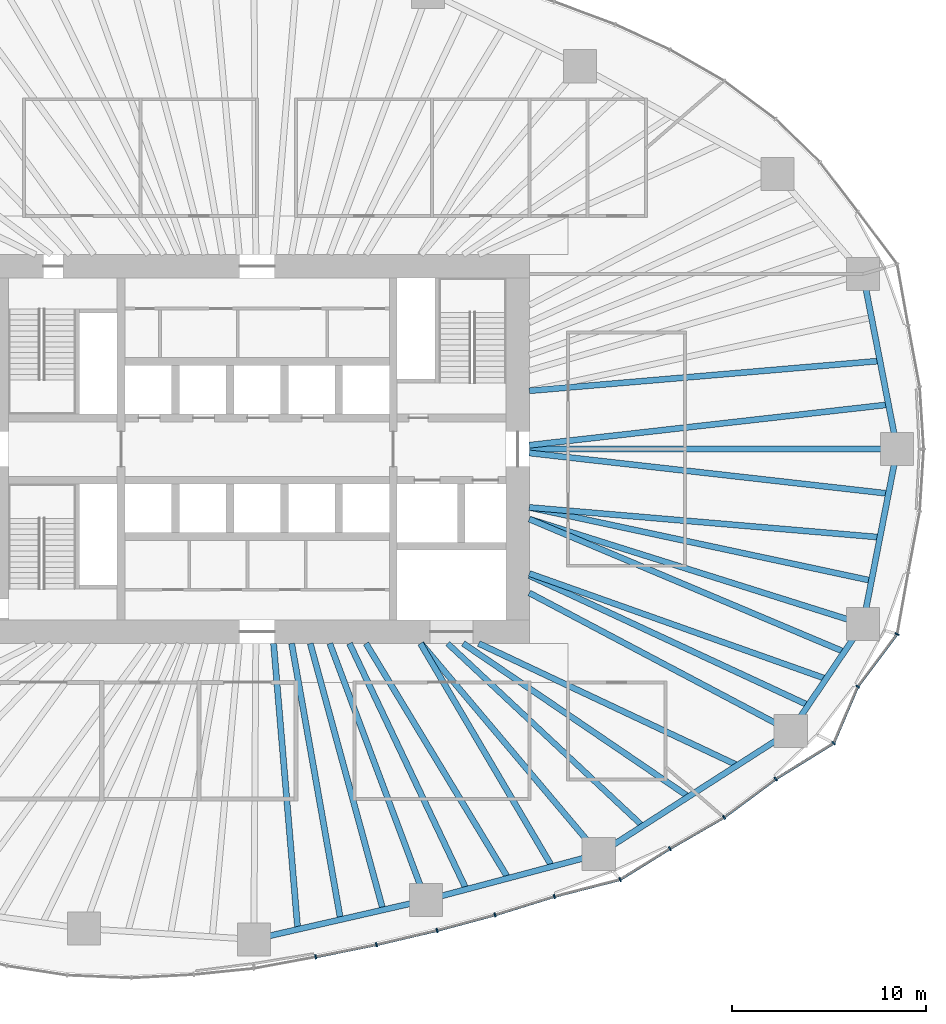
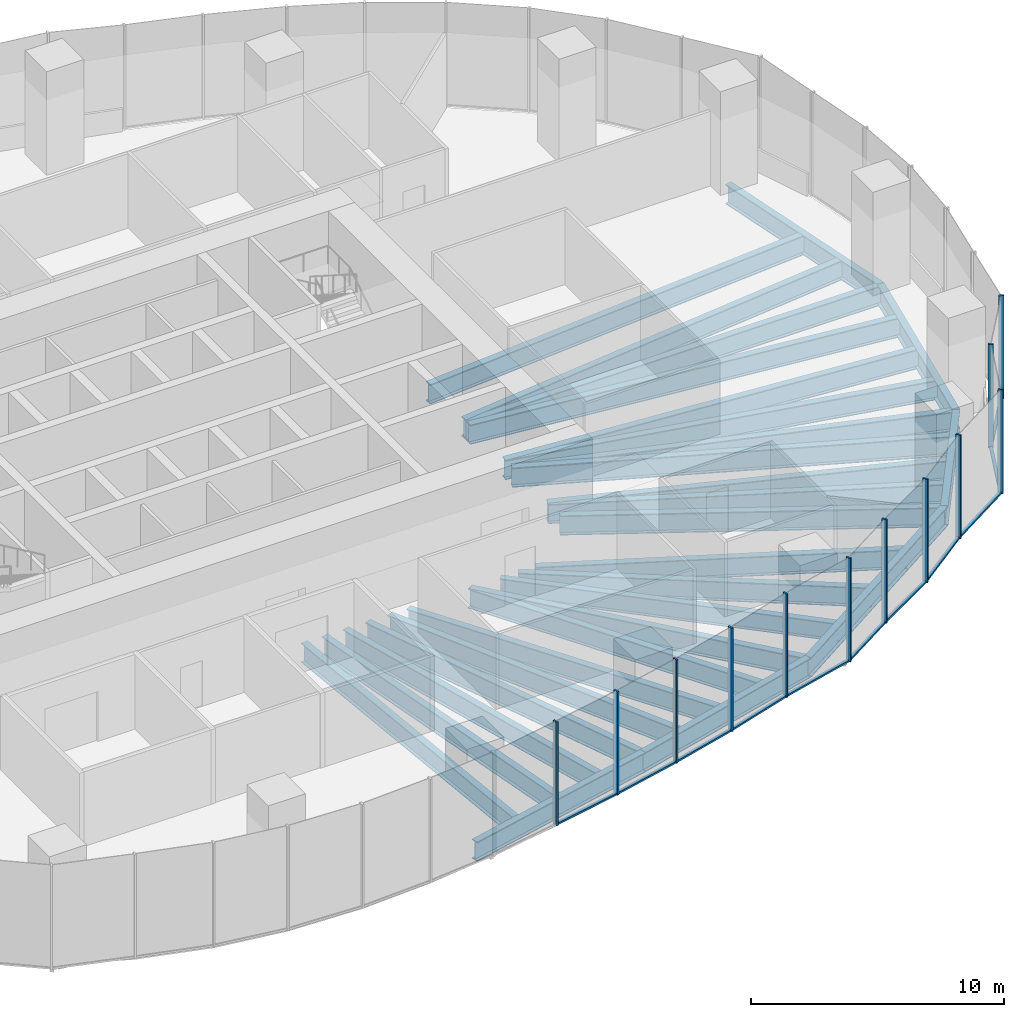
# One storey, part 4 of 19: 28 beams, 23 members, 5 elements without a shape of their own.
"""IFC4 building model written with IfcOpenShell, lengths in metres."""

import ifcopenshell
import ifcopenshell.guid

model = None  # the IFC model being written
_history = None  # IfcOwnerHistory: only IFC2X3 demands one
_inside = {}  # id of a spatial element -> (the spatial element, [elements in it])
_under = {}  # id of a project, library or spatial element -> (it, [spatial elements below it])
_declared = {}  # id of a project -> (the project, [libraries it declares])
_typed = {}  # id of a type object -> (the type object, [elements of that type])
_made_of = {}  # id of a material, layer set ... -> (it, [elements and type objects made of it])


def new_model(schema):
    """Start an empty IFC model of exactly this schema.

    Asked for "IFC4X3", IfcOpenShell would pick the latest addendum, in which some entities
    have other attributes; the version numbers below select the first issue.
    IFC2X3 requires an IfcOwnerHistory on every rooted entity: one is made here for all.
    """
    global model, _history
    if schema == "IFC4X3":
        model = ifcopenshell.file(schema_version=(4, 3, 0, 0))
    else:
        model = ifcopenshell.file(schema=schema)
    _inside.clear()
    _under.clear()
    _declared.clear()
    _typed.clear()
    _made_of.clear()
    _history = None
    if model.schema == "IFC2X3":
        org = make("IfcOrganization", Name="unknown")
        user = make(
            "IfcPersonAndOrganization",
            ThePerson=make("IfcPerson", FamilyName="unknown"),
            TheOrganization=org,
        )
        app = make(
            "IfcApplication",
            ApplicationDeveloper=org,
            Version="unknown",
            ApplicationFullName="unknown",
            ApplicationIdentifier="unknown",
        )
        _history = make(
            "IfcOwnerHistory",
            OwningUser=user,
            OwningApplication=app,
            ChangeAction="ADDED",
            CreationDate=0,
        )
    return model


def make(cls, **values):
    """One entity of the class cls with the attributes given. An attribute that is None is left unset."""
    return model.create_entity(
        cls, **{name: value for name, value in values.items() if value is not None}
    )


def rooted(cls, **values):
    """An entity with a GlobalId (a new one), such as an element, a storey or a relation."""
    return make(cls, GlobalId=ifcopenshell.guid.new(), OwnerHistory=_history, **values)


def si_unit(unit_type, name, prefix=None):
    """IfcSIUnit, for example si_unit("LENGTHUNIT", "METRE", prefix="MILLI")."""
    return make("IfcSIUnit", UnitType=unit_type, Prefix=prefix, Name=name)


def assignment(units):
    """IfcUnitAssignment: the units of a project."""
    return None if units is None else make("IfcUnitAssignment", Units=units)


def point(xyz):
    """IfcCartesianPoint."""
    return None if xyz is None else make("IfcCartesianPoint", Coordinates=xyz)


def direction(xyz):
    """IfcDirection."""
    return None if xyz is None else make("IfcDirection", DirectionRatios=xyz)


def frame(location, z_axis=None, x_axis=None):
    """IfcAxis2Placement3D, a coordinate frame: its origin and axes. An axis left out is left unset."""
    return make(
        "IfcAxis2Placement3D",
        Location=point(location),
        Axis=direction(z_axis),
        RefDirection=direction(x_axis),
    )


def frame_2d(location, x_axis=None):
    """IfcAxis2Placement2D, a coordinate frame in the plane: its origin and x axis."""
    return make(
        "IfcAxis2Placement2D", Location=point(location), RefDirection=direction(x_axis)
    )


def origin():
    """The frame at (0, 0, 0) with its axes left unset."""
    return frame((0.0, 0.0, 0.0))


def origin_2d():
    """The frame at (0, 0) in the plane with its x axis left unset."""
    return frame_2d((0.0, 0.0))


def place(relative_to, where):
    """IfcLocalPlacement: puts the frame where relative to a parent placement (None: the world)."""
    return make(
        "IfcLocalPlacement", PlacementRelTo=relative_to, RelativePlacement=where
    )


def context(
    kind, dimensions, precision=None, world=None, true_north=None, identifier=None
):
    """IfcGeometricRepresentationContext, for example the 3D "Model" context."""
    return make(
        "IfcGeometricRepresentationContext",
        ContextIdentifier=identifier,
        ContextType=kind,
        CoordinateSpaceDimension=dimensions,
        Precision=precision,
        WorldCoordinateSystem=world,
        TrueNorth=true_north,
    )


def subcontext(parent, identifier, kind, view, scale=None):
    """IfcGeometricRepresentationSubContext, for example "Body" below "Model"."""
    return make(
        "IfcGeometricRepresentationSubContext",
        ContextIdentifier=identifier,
        ContextType=kind,
        ParentContext=parent,
        TargetScale=scale,
        TargetView=view,
    )


def project(units=None, contexts=None):
    """IfcProject with its units and contexts."""
    return rooted(
        "IfcProject",
        Name="project",
        RepresentationContexts=contexts,
        UnitsInContext=assignment(units),
    )


def spatial(cls, under=None, at=None, **own):
    """A site, building, storey or space (cls), placed at a placement, below another one or the project."""
    s = rooted(cls, ObjectPlacement=at, **own)
    if under is not None:
        _under.setdefault(under.id(), (under, []))[1].append(s)
    return s


def profile(cls, at=None, kind="AREA", **sizes):
    """A parametric profile (cls). Its sizes go by their IFC names, for example OverallWidth=200.0."""
    return make(cls, ProfileType=kind, Position=at, **sizes)


def rectangle(**sizes):
    """IfcRectangleProfileDef."""
    return profile("IfcRectangleProfileDef", **sizes)


def i_section(**sizes):
    """IfcIShapeProfileDef."""
    return profile("IfcIShapeProfileDef", **sizes)


def extrude(swept, where, along, depth):
    """IfcExtrudedAreaSolid: the profile swept, set in the frame where, extruded along a direction by depth."""
    return make(
        "IfcExtrudedAreaSolid",
        SweptArea=swept,
        Position=where,
        ExtrudedDirection=direction(along),
        Depth=depth,
    )


def shape(context_of_items, identifier, shape_type, items):
    """IfcShapeRepresentation: the items that make up one representation, for example the "Body"."""
    return make(
        "IfcShapeRepresentation",
        ContextOfItems=context_of_items,
        RepresentationIdentifier=identifier,
        RepresentationType=shape_type,
        Items=items,
    )


def material(Name=None, Category=None):
    """IfcMaterial."""
    return make("IfcMaterial", Name=Name, Category=Category)


def material_profile(
    of_material, cross_section, Name=None, Category=None, Priority=None
):
    """IfcMaterialProfile: a cross section and its material."""
    return make(
        "IfcMaterialProfile",
        Name=Name,
        Material=of_material,
        Profile=cross_section,
        Priority=Priority,
        Category=Category,
    )


def profile_set(profiles, Name=None, composite=None):
    """IfcMaterialProfileSet."""
    return make(
        "IfcMaterialProfileSet",
        Name=Name,
        MaterialProfiles=profiles,
        CompositeProfile=composite,
    )


def made_of(thing, what):
    """Note that an element or type object is made of a material, layer set ...; save() writes the relation."""
    if what is not None:
        _made_of.setdefault(what.id(), (what, []))[1].append(thing)
    return thing


def type_object(cls, material=None, **own):
    """A type object (cls), such as IfcWallType, which elements share."""
    return made_of(rooted(cls, **own), material)


def element(
    cls,
    number,
    at=None,
    inside=None,
    cuts=None,
    type_object=None,
    material=None,
    context=None,
    identifier="Body",
    shape_type=None,
    held_by="IfcProductDefinitionShape",
    body=None,
    shapes=None,
    **own,
):
    """One element of the class cls, such as IfcWall. Its Tag is "e" and its number.

    at: its placement. inside: the storey or other place that contains it. cuts: it is an
    opening in that element (IfcRelVoidsElement). A single representation is given by context,
    identifier, shape_type and body (its items); several are given by shapes. held_by: the class
    of the entity that holds the representations. save() writes the other relations.
    """
    e = rooted(cls, Tag="e%d" % number, ObjectPlacement=at, **own)
    if body is not None:
        shapes = [shape(context, identifier, shape_type, body)]
    if shapes is not None:
        e.Representation = make(held_by, Representations=shapes)
    if inside is not None:
        _inside.setdefault(inside.id(), (inside, []))[1].append(e)
    if cuts is not None:
        rooted(
            "IfcRelVoidsElement", RelatingBuildingElement=cuts, RelatedOpeningElement=e
        )
    if type_object is not None:
        _typed.setdefault(type_object.id(), (type_object, []))[1].append(e)
    return made_of(e, material)


def aggregate(whole, parts):
    """IfcRelAggregates: a whole, such as a stair, and the parts it consists of."""
    return rooted("IfcRelAggregates", RelatingObject=whole, RelatedObjects=parts)


def save(model, path):
    """Write the relations noted so far, then the file.

    IfcRelAggregates (storeys below a building ...), IfcRelContainedInSpatialStructure (elements
    in a storey), IfcRelDefinesByType, IfcRelAssociatesMaterial and IfcRelDeclares: one each for
    every whole, place, type object, material and project.
    """
    for whole, parts in _under.values():
        aggregate(whole, parts)
    for where, things in _inside.values():
        rooted(
            "IfcRelContainedInSpatialStructure",
            RelatedElements=things,
            RelatingStructure=where,
        )
    for kind, things in _typed.values():
        rooted("IfcRelDefinesByType", RelatedObjects=things, RelatingType=kind)
    for what, things in _made_of.values():
        rooted("IfcRelAssociatesMaterial", RelatedObjects=things, RelatingMaterial=what)
    for by, libraries in _declared.values():
        rooted("IfcRelDeclares", RelatingContext=by, RelatedDefinitions=libraries)
    model.write(path)


model = new_model("IFC4")

# Units and contexts
model_context = context("Model", 3, precision=1e-05, world=origin(), true_north=direction((0.0, 1.0)))
body_context = subcontext(model_context, "Body", "Model", "MODEL_VIEW")
ifc_project = project(units=[si_unit("LENGTHUNIT", "METRE"), si_unit("AREAUNIT", "SQUARE_METRE"), si_unit("VOLUMEUNIT", "CUBIC_METRE"), si_unit("PLANEANGLEUNIT", "RADIAN"), si_unit("MASSUNIT", "GRAM", prefix="KILO")], contexts=[model_context])

# Site, building, storey
site_placement = place(None, origin())
site = spatial("IfcSite", under=ifc_project, at=site_placement, CompositionType="ELEMENT")
building_placement = place(site_placement, origin())
building = spatial("IfcBuilding", under=site, at=building_placement, Name="Ghaith Harvest Tower", CompositionType="ELEMENT")
storey_placement = place(building_placement, frame((0.0, 0.0, 75.0)))
storey = spatial("IfcBuildingStorey", under=building, at=storey_placement, Name="L15", CompositionType="ELEMENT", Elevation=75.0)

# Curtain wall, members
ifc_material_1 = material(Name="Black anodised aluminium and fritted glass", Category="aluminium")
curtain_wall_type = type_object("IfcCurtainWallType", Name="CW-F CURTAIN WALL", PredefinedType="NOTDEFINED", material=ifc_material_1)
curtain_wall_1_placement = place(storey_placement, origin())
curtain_wall_1 = element("IfcCurtainWall", 1, at=curtain_wall_1_placement, inside=storey, type_object=curtain_wall_type, Name="Curtain wall CW-F bay 16 L15", PredefinedType="NOTDEFINED")
ifc_material_2 = material(Name="Aluminium, black anodised", Category="aluminium")
ifc_material_profile_1 = material_profile(ifc_material_2, rectangle(XDim=0.080078125, YDim=0.219970703125, at=origin_2d()), Name="CW-F MULLION 80x220")
ifc_profile_set_1 = profile_set([ifc_material_profile_1], Name="Aluminium, black anodised")
member_type_1 = type_object("IfcMemberType", Name="CW-F MULLION 80x220", PredefinedType="MULLION", material=ifc_profile_set_1)
member_1_placement = place(storey_placement, frame((3.00927734375, -26.123291015625, 0.0), z_axis=(0.0, 0.0, 1.0), x_axis=(0.981818445714, 0.189822389762, 0.0)))
member_1 = element("IfcMember", 2, at=member_1_placement, type_object=member_type_1, Name="CW-F mullion 2 bay 16 L15", PredefinedType="MULLION", context=body_context, shape_type="SweptSolid", body=[
    extrude(rectangle(XDim=0.080078125, YDim=0.219970703125, at=origin_2d()), origin(), (0.0, 0.0, 1.0), 5.0),
])
member_2_placement = place(storey_placement, frame((6.136962890625, -25.495361328125, 0.0), z_axis=(0.0, 0.0, 1.0), x_axis=(0.977117973572, 0.212698062336, 0.0)))
member_2 = element("IfcMember", 3, at=member_2_placement, type_object=member_type_1, Name="CW-F mullion 3 bay 16 L15", PredefinedType="MULLION", context=body_context, shape_type="SweptSolid", body=[
    extrude(rectangle(XDim=0.080078125, YDim=0.219970703125, at=origin_2d()), origin(), (0.0, 0.0, 1.0), 5.0),
])

curtain_wall_2_placement = place(storey_placement, origin())
curtain_wall_2 = element("IfcCurtainWall", 4, at=curtain_wall_2_placement, inside=storey, type_object=curtain_wall_type, Name="Curtain wall CW-F bay 17 L15", PredefinedType="NOTDEFINED")
member_3_placement = place(storey_placement, frame((9.25732421875, -24.76318359375, 0.0), z_axis=(0.0, 0.0, 1.0), x_axis=(0.969903429248, 0.24348991341, 0.0)))
member_3 = element("IfcMember", 5, at=member_3_placement, type_object=member_type_1, Name="CW-F mullion 1 bay 17 L15", PredefinedType="MULLION", context=body_context, shape_type="SweptSolid", body=[
    extrude(rectangle(XDim=0.080078125, YDim=0.219970703125, at=origin_2d()), origin(), (0.0, 0.0, 1.0), 5.0),
])
member_4_placement = place(storey_placement, frame((12.234375, -23.964599609375, 0.0), z_axis=(0.0, 0.0, 1.0), x_axis=(0.960502189734, 0.278272426799, 0.0)))
member_4 = element("IfcMember", 6, at=member_4_placement, type_object=member_type_1, Name="CW-F mullion 2 bay 17 L15", PredefinedType="MULLION", context=body_context, shape_type="SweptSolid", body=[
    extrude(rectangle(XDim=0.080078125, YDim=0.219970703125, at=origin_2d()), origin(), (0.0, 0.0, 1.0), 5.0),
])
member_5_placement = place(storey_placement, frame((15.28759765625, -23.01611328125, 0.0), z_axis=(0.0, 0.0, 1.0), x_axis=(0.962313144018, 0.27194376781, 0.0)))
member_5 = element("IfcMember", 7, at=member_5_placement, type_object=member_type_1, Name="CW-F mullion 3 bay 17 L15", PredefinedType="MULLION", context=body_context, shape_type="SweptSolid", body=[
    extrude(rectangle(XDim=0.080078125, YDim=0.219970703125, at=origin_2d()), origin(), (0.0, 0.0, 1.0), 5.0),
])

curtain_wall_3_placement = place(storey_placement, origin())
curtain_wall_3 = element("IfcCurtainWall", 8, at=curtain_wall_3_placement, inside=storey, type_object=curtain_wall_type, Name="Curtain wall CW-F bay 18 L15", PredefinedType="NOTDEFINED")
member_6_placement = place(storey_placement, frame((18.674072265625, -22.144775390625, 0.0), z_axis=(0.0, 0.0, 1.0), x_axis=(0.923910199299, 0.382609387799, 0.0)))
member_6 = element("IfcMember", 9, at=member_6_placement, type_object=member_type_1, Name="CW-F mullion 1 bay 18 L15", PredefinedType="MULLION", context=body_context, shape_type="SweptSolid", body=[
    extrude(rectangle(XDim=0.080078125, YDim=0.219970703125, at=origin_2d()), origin(), (0.0, 0.0, 1.0), 5.0),
])
member_7_placement = place(storey_placement, frame((21.2353515625, -20.552978515625, 0.0), z_axis=(0.0, 0.0, 1.0), x_axis=(0.858140414942, 0.513415064293, 0.0)))
member_7 = element("IfcMember", 10, at=member_7_placement, type_object=member_type_1, Name="CW-F mullion 2 bay 18 L15", PredefinedType="MULLION", context=body_context, shape_type="SweptSolid", body=[
    extrude(rectangle(XDim=0.080078125, YDim=0.219970703125, at=origin_2d()), origin(), (0.0, 0.0, 1.0), 5.0),
])
member_8_placement = place(storey_placement, frame((24.018310546875, -18.947265625, 0.0), z_axis=(0.0, 0.0, 1.0), x_axis=(0.835443516838, 0.549576318788, 0.0)))
member_8 = element("IfcMember", 11, at=member_8_placement, type_object=member_type_1, Name="CW-F mullion 3 bay 18 L15", PredefinedType="MULLION", context=body_context, shape_type="SweptSolid", body=[
    extrude(rectangle(XDim=0.080078125, YDim=0.219970703125, at=origin_2d()), origin(), (0.0, 0.0, 1.0), 5.0),
])

curtain_wall_4_placement = place(storey_placement, origin())
curtain_wall_4 = element("IfcCurtainWall", 12, at=curtain_wall_4_placement, inside=storey, type_object=curtain_wall_type, Name="Curtain wall CW-F bay 19 L15", PredefinedType="NOTDEFINED")
member_9_placement = place(storey_placement, frame((26.673828125, -16.9755859375, 0.0), z_axis=(0.0, 0.0, 1.0), x_axis=(0.828002038115, 0.560725088504, 0.0)))
member_9 = element("IfcMember", 13, at=member_9_placement, type_object=member_type_1, Name="CW-F mullion 1 bay 19 L15", PredefinedType="MULLION", context=body_context, shape_type="SweptSolid", body=[
    extrude(rectangle(XDim=0.080078125, YDim=0.219970703125, at=origin_2d()), origin(), (0.0, 0.0, 1.0), 5.0),
])
member_10_placement = place(storey_placement, frame((29.659912109375, -15.126953125, 0.0), z_axis=(0.0, 0.0, 1.0), x_axis=(0.663604797505, 0.748083332743, 0.0)))
member_10 = element("IfcMember", 14, at=member_10_placement, type_object=member_type_1, Name="CW-F mullion 2 bay 19 L15", PredefinedType="MULLION", context=body_context, shape_type="SweptSolid", body=[
    extrude(rectangle(XDim=0.080078125, YDim=0.219970703125, at=origin_2d()), origin(), (0.0, 0.0, 1.0), 5.0),
])
member_11_placement = place(storey_placement, frame((30.896728515625, -12.215087890625, 0.0), z_axis=(0.0, 0.0, 1.0), x_axis=(0.5027946428, 0.864405892606, 0.0)))
member_11 = element("IfcMember", 15, at=member_11_placement, type_object=member_type_1, Name="CW-F mullion 3 bay 19 L15", PredefinedType="MULLION", context=body_context, shape_type="SweptSolid", body=[
    extrude(rectangle(XDim=0.080078125, YDim=0.219970703125, at=origin_2d()), origin(), (0.0, 0.0, 1.0), 5.0),
])

# Curtain wall, member
curtain_wall_5_placement = place(storey_placement, origin())
curtain_wall_5 = element("IfcCurtainWall", 16, at=curtain_wall_5_placement, inside=storey, type_object=curtain_wall_type, Name="Curtain wall CW-F bay 20 L15", PredefinedType="NOTDEFINED")
member_12_placement = place(storey_placement, frame((32.923583984375, -9.515625, 0.0), z_axis=(0.0, 0.0, 1.0), x_axis=(0.404701694001, 0.914448762301, 0.0)))
member_12 = element("IfcMember", 17, at=member_12_placement, type_object=member_type_1, Name="CW-F mullion 1 bay 20 L15", PredefinedType="MULLION", context=body_context, shape_type="SweptSolid", body=[
    extrude(rectangle(XDim=0.080078125, YDim=0.219970703125, at=origin_2d()), origin(), (0.0, 0.0, 1.0), 5.0),
])
aggregate(curtain_wall_5, [member_12])

# Member
ifc_material_3 = material(Name="Aluminium, black anodised", Category="aluminium")
ifc_material_profile_2 = material_profile(ifc_material_3, rectangle(XDim=0.139892578125, YDim=0.080078125, at=origin_2d()), Name="CW-F TRANSOM 140x80")
ifc_profile_set_2 = profile_set([ifc_material_profile_2], Name="Aluminium, black anodised")
member_type_2 = type_object("IfcMemberType", Name="CW-F TRANSOM 140x80", PredefinedType="USERDEFINED", material=ifc_profile_set_2)
member_13_placement = place(storey_placement, frame((3.04833984375, -26.115478515625, 0.0400390625), z_axis=(0.980432471193, 0.196855707129, 0.0), x_axis=(-0.196855707129, 0.980432471193, 0.0)))
member_13 = element("IfcMember", 18, at=member_13_placement, type_object=member_type_2, Name="CW-F transom 2 bay 16 L15", ObjectType="TRANSOM", PredefinedType="USERDEFINED", context=body_context, shape_type="SweptSolid", body=[
    extrude(rectangle(XDim=0.139892578125, YDim=0.080078125, at=origin_2d()), origin(), (0.0, 0.0, 1.0), 3.1103515625),
])

member_14_placement = place(storey_placement, frame((6.176025390625, -25.486083984375, 0.0400390625), z_axis=(0.973560415159, 0.228429678537, 0.0), x_axis=(-0.228429678537, 0.973560415159, 0.0)))
member_14 = element("IfcMember", 19, at=member_14_placement, type_object=member_type_2, Name="CW-F transom 3 bay 16 L15", ObjectType="TRANSOM", PredefinedType="USERDEFINED", context=body_context, shape_type="SweptSolid", body=[
    extrude(rectangle(XDim=0.139892578125, YDim=0.080078125, at=origin_2d()), origin(), (0.0, 0.0, 1.0), 3.125),
])

aggregate(curtain_wall_1, [member_1, member_13, member_2, member_14])

member_15_placement = place(storey_placement, frame((9.2958984375, -24.7529296875, 0.0400390625), z_axis=(0.965832908495, 0.259165570377, 0.0), x_axis=(-0.259165570377, 0.965832908495, 0.0)))
member_15 = element("IfcMember", 20, at=member_15_placement, type_object=member_type_2, Name="CW-F transom 1 bay 17 L15", ObjectType="TRANSOM", PredefinedType="USERDEFINED", context=body_context, shape_type="SweptSolid", body=[
    extrude(rectangle(XDim=0.139892578125, YDim=0.080078125, at=origin_2d()), origin(), (0.0, 0.0, 1.0), 3.002197265625),
])

member_16_placement = place(storey_placement, frame((12.2724609375, -23.95263671875, 0.0400390625), z_axis=(0.954998362353, 0.296611071781, 0.0), x_axis=(-0.296611071781, 0.954998362353, 0.0)))
member_16 = element("IfcMember", 21, at=member_16_placement, type_object=member_type_2, Name="CW-F transom 2 bay 17 L15", ObjectType="TRANSOM", PredefinedType="USERDEFINED", context=body_context, shape_type="SweptSolid", body=[
    extrude(rectangle(XDim=0.139892578125, YDim=0.080078125, at=origin_2d()), origin(), (0.0, 0.0, 1.0), 3.1171875),
])

member_17_placement = place(storey_placement, frame((15.326171875, -23.006103515625, 0.0400390625), z_axis=(0.968463874592, 0.249154015841, 0.0), x_axis=(-0.249154015841, 0.968463874592, 0.0)))
member_17 = element("IfcMember", 22, at=member_17_placement, type_object=member_type_2, Name="CW-F transom 3 bay 17 L15", ObjectType="TRANSOM", PredefinedType="USERDEFINED", context=body_context, shape_type="SweptSolid", body=[
    extrude(rectangle(XDim=0.139892578125, YDim=0.080078125, at=origin_2d()), origin(), (0.0, 0.0, 1.0), 3.416748046875),
])

aggregate(curtain_wall_2, [member_3, member_15, member_4, member_16, member_5, member_17])

member_18_placement = place(storey_placement, frame((18.7080078125, -22.12353515625, 0.0400390625), z_axis=(0.849383069026, 0.527776848726, 0.0), x_axis=(-0.527776848726, 0.849383069026, 0.0)))
member_18 = element("IfcMember", 23, at=member_18_placement, type_object=member_type_2, Name="CW-F transom 1 bay 18 L15", ObjectType="TRANSOM", PredefinedType="USERDEFINED", context=body_context, shape_type="SweptSolid", body=[
    extrude(rectangle(XDim=0.139892578125, YDim=0.080078125, at=origin_2d()), origin(), (0.0, 0.0, 1.0), 2.935546875),
])

member_19_placement = place(storey_placement, frame((21.27001953125, -20.532958984375, 0.0400390625), z_axis=(0.866168719914, 0.499751686983, 0.0), x_axis=(-0.499751686983, 0.866168719914, 0.0)))
member_19 = element("IfcMember", 24, at=member_19_placement, type_object=member_type_2, Name="CW-F transom 2 bay 18 L15", ObjectType="TRANSOM", PredefinedType="USERDEFINED", context=body_context, shape_type="SweptSolid", body=[
    extrude(rectangle(XDim=0.139892578125, YDim=0.080078125, at=origin_2d()), origin(), (0.0, 0.0, 1.0), 3.1328125),
])

member_20_placement = place(storey_placement, frame((24.050537109375, -18.92333984375, 0.0400390625), z_axis=(0.802877287823, 0.596144328748, 0.0), x_axis=(-0.596144328748, 0.802877287823, 0.0)))
member_20 = element("IfcMember", 25, at=member_20_placement, type_object=member_type_2, Name="CW-F transom 3 bay 18 L15", ObjectType="TRANSOM", PredefinedType="USERDEFINED", context=body_context, shape_type="SweptSolid", body=[
    extrude(rectangle(XDim=0.139892578125, YDim=0.080078125, at=origin_2d()), origin(), (0.0, 0.0, 1.0), 3.2275390625),
])

aggregate(curtain_wall_3, [member_6, member_18, member_7, member_19, member_8, member_20])

member_21_placement = place(storey_placement, frame((26.707763671875, -16.954345703125, 0.0400390625), z_axis=(0.850260598386, 0.526361961802, 0.0), x_axis=(-0.526361961802, 0.850260598386, 0.0)))
member_21 = element("IfcMember", 26, at=member_21_placement, type_object=member_type_2, Name="CW-F transom 1 bay 19 L15", ObjectType="TRANSOM", PredefinedType="USERDEFINED", context=body_context, shape_type="SweptSolid", body=[
    extrude(rectangle(XDim=0.139892578125, YDim=0.080078125, at=origin_2d()), origin(), (0.0, 0.0, 1.0), 3.431884765625),
])

member_22_placement = place(storey_placement, frame((29.675537109375, -15.090087890625, 0.0400390625), z_axis=(0.390936107494, 0.92041781809, 0.0), x_axis=(-0.92041781809, 0.390936107494, 0.0)))
member_22 = element("IfcMember", 27, at=member_22_placement, type_object=member_type_2, Name="CW-F transom 2 bay 19 L15", ObjectType="TRANSOM", PredefinedType="USERDEFINED", context=body_context, shape_type="SweptSolid", body=[
    extrude(rectangle(XDim=0.139892578125, YDim=0.080078125, at=origin_2d()), origin(), (0.0, 0.0, 1.0), 3.083740234375),
])

member_23_placement = place(storey_placement, frame((30.920654296875, -12.18310546875, 0.0400390625), z_axis=(0.600462135687, 0.799653189581, 0.0), x_axis=(-0.799653189581, 0.600462135687, 0.0)))
member_23 = element("IfcMember", 28, at=member_23_placement, type_object=member_type_2, Name="CW-F transom 3 bay 19 L15", ObjectType="TRANSOM", PredefinedType="USERDEFINED", context=body_context, shape_type="SweptSolid", body=[
    extrude(rectangle(XDim=0.139892578125, YDim=0.080078125, at=origin_2d()), origin(), (0.0, 0.0, 1.0), 3.2958984375),
])

aggregate(curtain_wall_4, [member_9, member_21, member_10, member_22, member_11, member_23])

# Beams
ifc_material_4 = material(Name="Steel ASTM A992 Grade 50", Category="steel")
ifc_material_profile_3 = material_profile(ifc_material_4, i_section(OverallWidth=0.306884765625, OverallDepth=0.94189453125, WebThickness=0.022216796875, FlangeThickness=0.039794921875, at=origin_2d()), Name="W920X345")
ifc_profile_set_3 = profile_set([ifc_material_profile_3], Name="Steel ASTM A992 Grade 50")
beam_type_1 = type_object("IfcBeamType", Name="E920-345 W920X345", PredefinedType="SPANDREL", material=ifc_profile_set_3)
beam_1_placement = place(storey_placement, frame((32.925048828125, 0.0, -0.6708984375), z_axis=(-0.191653479461, 0.981462655332, 0.0), x_axis=(-0.981462655332, -0.191653479461, 0.0)))
element("IfcBeam", 29, at=beam_1_placement, inside=storey, type_object=beam_type_1, Name="Edge beam E01 L15", PredefinedType="SPANDREL", context=body_context, shape_type="SweptSolid", body=[
    extrude(i_section(OverallWidth=0.306884765625, OverallDepth=0.94189453125, WebThickness=0.022216796875, FlangeThickness=0.039794921875, at=origin_2d()), origin(), (0.0, 0.0, 1.0), 9.17822265625),
])
beam_2_placement = place(storey_placement, frame((-0.173095703125, -25.22412109375, -0.6708984375), z_axis=(0.974881709383, 0.22272326486, 0.0), x_axis=(-0.22272326486, 0.974881709383, 0.0)))
element("IfcBeam", 30, at=beam_2_placement, inside=storey, type_object=beam_type_1, Name="Edge beam E16 L15", PredefinedType="SPANDREL", context=body_context, shape_type="SweptSolid", body=[
    extrude(i_section(OverallWidth=0.306884765625, OverallDepth=0.94189453125, WebThickness=0.022216796875, FlangeThickness=0.039794921875, at=origin_2d()), origin(), (0.0, 0.0, 1.0), 9.0751953125),
])
beam_3_placement = place(storey_placement, frame((8.674072265625, -23.202880859375, -0.6708984375), z_axis=(0.966419097109, 0.256971065963, 0.0), x_axis=(-0.256971065963, 0.966419097109, 0.0)))
element("IfcBeam", 31, at=beam_3_placement, inside=storey, type_object=beam_type_1, Name="Edge beam E17 L15", PredefinedType="SPANDREL", context=body_context, shape_type="SweptSolid", body=[
    extrude(i_section(OverallWidth=0.306884765625, OverallDepth=0.94189453125, WebThickness=0.022216796875, FlangeThickness=0.039794921875, at=origin_2d()), origin(), (0.0, 0.0, 1.0), 9.20703125),
])
beam_4_placement = place(storey_placement, frame((17.572021484375, -20.8369140625, -0.6708984375), z_axis=(0.842014649705, 0.539454659524, 0.0), x_axis=(-0.539454659524, 0.842014649705, 0.0)))
element("IfcBeam", 32, at=beam_4_placement, inside=storey, type_object=beam_type_1, Name="Edge beam E18 L15", PredefinedType="SPANDREL", context=body_context, shape_type="SweptSolid", body=[
    extrude(i_section(OverallWidth=0.306884765625, OverallDepth=0.94189453125, WebThickness=0.022216796875, FlangeThickness=0.039794921875, at=origin_2d()), origin(), (0.0, 0.0, 1.0), 11.730224609375),
])
beam_5_placement = place(storey_placement, frame((27.448974609375, -14.509033203125, -0.6708984375), z_axis=(0.559874470017, 0.828577442261, 0.0), x_axis=(-0.828577442261, 0.559874470017, 0.0)))
element("IfcBeam", 33, at=beam_5_placement, inside=storey, type_object=beam_type_1, Name="Edge beam E19 L15", PredefinedType="SPANDREL", context=body_context, shape_type="SweptSolid", body=[
    extrude(i_section(OverallWidth=0.306884765625, OverallDepth=0.94189453125, WebThickness=0.022216796875, FlangeThickness=0.039794921875, at=origin_2d()), origin(), (0.0, 0.0, 1.0), 6.63916015625),
])
beam_6_placement = place(storey_placement, frame((31.166015625, -9.008056640625, -0.6708984375), z_axis=(0.191653479461, 0.981462655332, 0.0), x_axis=(-0.981462655332, 0.191653479461, 0.0)))
element("IfcBeam", 34, at=beam_6_placement, inside=storey, type_object=beam_type_1, Name="Edge beam E20 L15", PredefinedType="SPANDREL", context=body_context, shape_type="SweptSolid", body=[
    extrude(i_section(OverallWidth=0.306884765625, OverallDepth=0.94189453125, WebThickness=0.022216796875, FlangeThickness=0.039794921875, at=origin_2d()), origin(), (0.0, 0.0, 1.0), 9.17822265625),
])
ifc_material_5 = material(Name="Steel ASTM A992 Grade 50", Category="steel")
ifc_material_profile_4 = material_profile(ifc_material_5, i_section(OverallWidth=0.306884765625, OverallDepth=0.94189453125, WebThickness=0.022216796875, FlangeThickness=0.039794921875, at=origin_2d()), Name="W920X345")
ifc_profile_set_4 = profile_set([ifc_material_profile_4], Name="Steel ASTM A992 Grade 50")
beam_type_2 = type_object("IfcBeamType", Name="G920-345 W920X345", PredefinedType="BEAM", material=ifc_profile_set_4)
beam_7_placement = place(storey_placement, frame((14.0, 0.0, -0.6708984375), z_axis=(1.0, 0.0, 0.0), x_axis=(0.0, 1.0, 0.0)))
element("IfcBeam", 35, at=beam_7_placement, inside=storey, type_object=beam_type_2, Name="Radial girder G01 L15", PredefinedType="BEAM", context=body_context, shape_type="SweptSolid", body=[
    extrude(i_section(OverallWidth=0.306884765625, OverallDepth=0.94189453125, WebThickness=0.022216796875, FlangeThickness=0.039794921875, at=origin_2d()), origin(), (0.0, 0.0, 1.0), 18.925048828125),
])
beam_8_placement = place(storey_placement, frame((3.73828125, -10.0, -0.6708984375), z_axis=(0.350172283717, -0.936685310932, 0.0), x_axis=(0.936685310932, 0.350172283717, 0.0)))
element("IfcBeam", 36, at=beam_8_placement, inside=storey, type_object=beam_type_2, Name="Radial girder G17 L15", PredefinedType="BEAM", context=body_context, shape_type="SweptSolid", body=[
    extrude(i_section(OverallWidth=0.306884765625, OverallDepth=0.94189453125, WebThickness=0.022216796875, FlangeThickness=0.039794921875, at=origin_2d()), origin(), (0.0, 0.0, 1.0), 14.09521484375),
])
beam_9_placement = place(storey_placement, frame((8.4326171875, -10.0, -0.6708984375), z_axis=(0.644696130938, -0.764438943771, 0.0), x_axis=(0.764438943771, 0.644696130938, 0.0)))
element("IfcBeam", 37, at=beam_9_placement, inside=storey, type_object=beam_type_2, Name="Radial girder G18 L15", PredefinedType="BEAM", context=body_context, shape_type="SweptSolid", body=[
    extrude(i_section(OverallWidth=0.306884765625, OverallDepth=0.94189453125, WebThickness=0.022216796875, FlangeThickness=0.039794921875, at=origin_2d()), origin(), (0.0, 0.0, 1.0), 14.17626953125),
])
beam_10_placement = place(storey_placement, frame((14.0, -7.39990234375, -0.6708984375), z_axis=(0.884084425997, -0.467327216959, 0.0), x_axis=(0.467327216959, 0.884084425997, 0.0)))
element("IfcBeam", 38, at=beam_10_placement, inside=storey, type_object=beam_type_2, Name="Radial girder G19 L15", PredefinedType="BEAM", context=body_context, shape_type="SweptSolid", body=[
    extrude(i_section(OverallWidth=0.306884765625, OverallDepth=0.94189453125, WebThickness=0.022216796875, FlangeThickness=0.039794921875, at=origin_2d()), origin(), (0.0, 0.0, 1.0), 15.21240234375),
])
beam_11_placement = place(storey_placement, frame((14.0, -3.60009765625, -0.6708984375), z_axis=(0.953788071692, -0.300480139607, 0.0), x_axis=(0.300480139607, 0.953788071692, 0.0)))
element("IfcBeam", 39, at=beam_11_placement, inside=storey, type_object=beam_type_2, Name="Radial girder G20 L15", PredefinedType="BEAM", context=body_context, shape_type="SweptSolid", body=[
    extrude(i_section(OverallWidth=0.306884765625, OverallDepth=0.94189453125, WebThickness=0.022216796875, FlangeThickness=0.039794921875, at=origin_2d()), origin(), (0.0, 0.0, 1.0), 17.997802734375),
])
ifc_material_6 = material(Name="Steel ASTM A992 Grade 50", Category="steel")
ifc_material_profile_5 = material_profile(ifc_material_6, i_section(OverallWidth=0.2939453125, OverallDepth=0.85107421875, WebThickness=0.01611328125, FlangeThickness=0.02685546875, at=origin_2d()), Name="W840X226")
ifc_profile_set_5 = profile_set([ifc_material_profile_5], Name="Steel ASTM A992 Grade 50")
beam_type_3 = type_object("IfcBeamType", Name="J840-226 W840X226", PredefinedType="JOIST", material=ifc_profile_set_5)
beam_12_placement = place(storey_placement, frame((9.800048828125, -10.0, -0.62548828125), z_axis=(0.72994990542, -0.683500647825, 0.0), x_axis=(0.683500647825, 0.72994990542, 0.0)))
element("IfcBeam", 40, at=beam_12_placement, inside=storey, type_object=beam_type_3, Name="Joist J18.1 L15", PredefinedType="JOIST", context=body_context, shape_type="SweptSolid", body=[
    extrude(i_section(OverallWidth=0.2939453125, OverallDepth=0.85107421875, WebThickness=0.01611328125, FlangeThickness=0.02685546875, at=origin_2d()), origin(), (0.0, 0.0, 1.0), 13.7392578125),
])
ifc_material_7 = material(Name="Steel ASTM A992 Grade 50", Category="steel")
ifc_material_profile_6 = material_profile(ifc_material_7, i_section(OverallWidth=0.31005859375, OverallDepth=0.927001953125, WebThickness=0.019287109375, FlangeThickness=0.031982421875, at=origin_2d()), Name="W920X289")
ifc_profile_set_6 = profile_set([ifc_material_profile_6], Name="Steel ASTM A992 Grade 50")
beam_type_4 = type_object("IfcBeamType", Name="J920-289 W920X289", PredefinedType="JOIST", material=ifc_profile_set_6)
beam_13_placement = place(storey_placement, frame((0.844970703125, -10.0, -0.66357421875), z_axis=(0.084208979751, -0.996448115924, 0.0), x_axis=(0.996448115924, 0.084208979751, 0.0)))
element("IfcBeam", 41, at=beam_13_placement, inside=storey, type_object=beam_type_4, Name="Joist J16.1 L15", PredefinedType="JOIST", context=body_context, shape_type="SweptSolid", body=[
    extrude(i_section(OverallWidth=0.31005859375, OverallDepth=0.927001953125, WebThickness=0.019287109375, FlangeThickness=0.031982421875, at=origin_2d()), origin(), (0.0, 0.0, 1.0), 14.760009765625),
])
beam_14_placement = place(storey_placement, frame((1.772705078125, -10.0, -0.66357421875), z_axis=(0.174552818486, -0.98464781194, 0.0), x_axis=(0.98464781194, 0.174552818486, 0.0)))
element("IfcBeam", 42, at=beam_14_placement, inside=storey, type_object=beam_type_4, Name="Joist J16.2 L15", PredefinedType="JOIST", context=body_context, shape_type="SweptSolid", body=[
    extrude(i_section(OverallWidth=0.31005859375, OverallDepth=0.927001953125, WebThickness=0.019287109375, FlangeThickness=0.031982421875, at=origin_2d()), origin(), (0.0, 0.0, 1.0), 14.42578125),
])
beam_15_placement = place(storey_placement, frame((2.73095703125, -10.0, -0.66357421875), z_axis=(0.263463446032, -0.964669379946, 0.0), x_axis=(0.964669379946, 0.263463446032, 0.0)))
element("IfcBeam", 43, at=beam_15_placement, inside=storey, type_object=beam_type_4, Name="Joist J16.3 L15", PredefinedType="JOIST", context=body_context, shape_type="SweptSolid", body=[
    extrude(i_section(OverallWidth=0.31005859375, OverallDepth=0.927001953125, WebThickness=0.019287109375, FlangeThickness=0.031982421875, at=origin_2d()), origin(), (0.0, 0.0, 1.0), 14.20751953125),
])
beam_16_placement = place(storey_placement, frame((4.75, -10.0, -0.66357421875), z_axis=(0.429067127754, -0.903272605519, 0.0), x_axis=(0.903272605519, 0.429067127754, 0.0)))
element("IfcBeam", 44, at=beam_16_placement, inside=storey, type_object=beam_type_4, Name="Joist J17.1 L15", PredefinedType="JOIST", context=body_context, shape_type="SweptSolid", body=[
    extrude(i_section(OverallWidth=0.31005859375, OverallDepth=0.927001953125, WebThickness=0.019287109375, FlangeThickness=0.031982421875, at=origin_2d()), origin(), (0.0, 0.0, 1.0), 14.003173828125),
])
beam_17_placement = place(storey_placement, frame((5.60009765625, -10.0, -0.66357421875), z_axis=(0.517828660199, -0.855484353262, 0.0), x_axis=(0.855484353262, 0.517828660199, 0.0)))
element("IfcBeam", 45, at=beam_17_placement, inside=storey, type_object=beam_type_4, Name="Joist J17.2 L15", PredefinedType="JOIST", context=body_context, shape_type="SweptSolid", body=[
    extrude(i_section(OverallWidth=0.31005859375, OverallDepth=0.927001953125, WebThickness=0.019287109375, FlangeThickness=0.031982421875, at=origin_2d()), origin(), (0.0, 0.0, 1.0), 14.11669921875),
])
beam_18_placement = place(storey_placement, frame((8.39990234375, -10.0, -0.66357421875), z_axis=(0.507894375661, -0.861419353841, 0.0), x_axis=(0.861419353841, 0.507894375661, 0.0)))
element("IfcBeam", 46, at=beam_18_placement, inside=storey, type_object=beam_type_4, Name="Joist J17.3 L15", PredefinedType="JOIST", context=body_context, shape_type="SweptSolid", body=[
    extrude(i_section(OverallWidth=0.31005859375, OverallDepth=0.927001953125, WebThickness=0.019287109375, FlangeThickness=0.031982421875, at=origin_2d()), origin(), (0.0, 0.0, 1.0), 13.32275390625),
])
beam_19_placement = place(storey_placement, frame((10.60009765625, -10.0, -0.66357421875), z_axis=(0.826982555637, -0.562227580853, 0.0), x_axis=(0.562227580853, 0.826982555637, 0.0)))
element("IfcBeam", 47, at=beam_19_placement, inside=storey, type_object=beam_type_4, Name="Joist J18.2 L15", PredefinedType="JOIST", context=body_context, shape_type="SweptSolid", body=[
    extrude(i_section(OverallWidth=0.31005859375, OverallDepth=0.927001953125, WebThickness=0.019287109375, FlangeThickness=0.031982421875, at=origin_2d()), origin(), (0.0, 0.0, 1.0), 14.013671875),
])
beam_20_placement = place(storey_placement, frame((11.39990234375, -10.0, -0.66357421875), z_axis=(0.904709580205, -0.426028843489, 0.0), x_axis=(0.426028843489, 0.904709580205, 0.0)))
element("IfcBeam", 48, at=beam_20_placement, inside=storey, type_object=beam_type_4, Name="Joist J18.3 L15", PredefinedType="JOIST", context=body_context, shape_type="SweptSolid", body=[
    extrude(i_section(OverallWidth=0.31005859375, OverallDepth=0.927001953125, WebThickness=0.019287109375, FlangeThickness=0.031982421875, at=origin_2d()), origin(), (0.0, 0.0, 1.0), 14.708251953125),
])
beam_21_placement = place(storey_placement, frame((14.0, -6.506103515625, -0.66357421875), z_axis=(0.906865804441, -0.421419521067, 0.0), x_axis=(0.421419521067, 0.906865804441, 0.0)))
element("IfcBeam", 49, at=beam_21_placement, inside=storey, type_object=beam_type_4, Name="Joist J19.1 L15", PredefinedType="JOIST", context=body_context, shape_type="SweptSolid", body=[
    extrude(i_section(OverallWidth=0.31005859375, OverallDepth=0.927001953125, WebThickness=0.019287109375, FlangeThickness=0.031982421875, at=origin_2d()), origin(), (0.0, 0.0, 1.0), 15.824462890625),
])
ifc_material_8 = material(Name="Steel ASTM A992 Grade 50", Category="steel")
ifc_material_profile_7 = material_profile(ifc_material_8, i_section(OverallWidth=0.306884765625, OverallDepth=0.94189453125, WebThickness=0.022216796875, FlangeThickness=0.039794921875, at=origin_2d()), Name="W920X345")
ifc_profile_set_7 = profile_set([ifc_material_profile_7], Name="Steel ASTM A992 Grade 50")
beam_type_5 = type_object("IfcBeamType", Name="J920-345 W920X345", PredefinedType="JOIST", material=ifc_profile_set_7)
beam_22_placement = place(storey_placement, frame((14.0, 0.199951171875, -0.6708984375), z_axis=(0.993675458798, 0.112290171352, 0.0), x_axis=(-0.112290171352, 0.993675458798, 0.0)))
element("IfcBeam", 50, at=beam_22_placement, inside=storey, type_object=beam_type_5, Name="Joist J01.1 L15", PredefinedType="JOIST", context=body_context, shape_type="SweptSolid", body=[
    extrude(i_section(OverallWidth=0.306884765625, OverallDepth=0.94189453125, WebThickness=0.022216796875, FlangeThickness=0.039794921875, at=origin_2d()), origin(), (0.0, 0.0, 1.0), 18.595947265625),
])
beam_23_placement = place(storey_placement, frame((14.0, 3.0, -0.6708984375), z_axis=(0.996389274474, 0.084902377546, 0.0), x_axis=(-0.084902377546, 0.996389274474, 0.0)))
element("IfcBeam", 51, at=beam_23_placement, inside=storey, type_object=beam_type_5, Name="Joist J01.2 L15", PredefinedType="JOIST", context=body_context, shape_type="SweptSolid", body=[
    extrude(i_section(OverallWidth=0.306884765625, OverallDepth=0.94189453125, WebThickness=0.022216796875, FlangeThickness=0.039794921875, at=origin_2d()), origin(), (0.0, 0.0, 1.0), 18.1044921875),
])
beam_24_placement = place(storey_placement, frame((14.0, -6.39990234375, -0.6708984375), z_axis=(0.942399857711, -0.334488427581, 0.0), x_axis=(0.334488427581, 0.942399857711, 0.0)))
element("IfcBeam", 52, at=beam_24_placement, inside=storey, type_object=beam_type_5, Name="Joist J19.2 L15", PredefinedType="JOIST", context=body_context, shape_type="SweptSolid", body=[
    extrude(i_section(OverallWidth=0.306884765625, OverallDepth=0.94189453125, WebThickness=0.022216796875, FlangeThickness=0.039794921875, at=origin_2d()), origin(), (0.0, 0.0, 1.0), 16.199951171875),
])
beam_25_placement = place(storey_placement, frame((14.0, -3.60009765625, -0.6708984375), z_axis=(0.921432978784, -0.388537341333, 0.0), x_axis=(0.388537341333, 0.921432978784, 0.0)))
element("IfcBeam", 53, at=beam_25_placement, inside=storey, type_object=beam_type_5, Name="Joist J19.3 L15", PredefinedType="JOIST", context=body_context, shape_type="SweptSolid", body=[
    extrude(i_section(OverallWidth=0.306884765625, OverallDepth=0.94189453125, WebThickness=0.022216796875, FlangeThickness=0.039794921875, at=origin_2d()), origin(), (0.0, 0.0, 1.0), 17.585205078125),
])
beam_26_placement = place(storey_placement, frame((14.0, -3.0, -0.6708984375), z_axis=(0.977831380626, -0.209393865869, 0.0), x_axis=(0.209393865869, 0.977831380626, 0.0)))
element("IfcBeam", 54, at=beam_26_placement, inside=storey, type_object=beam_type_5, Name="Joist J20.1 L15", PredefinedType="JOIST", context=body_context, shape_type="SweptSolid", body=[
    extrude(i_section(OverallWidth=0.306884765625, OverallDepth=0.94189453125, WebThickness=0.022216796875, FlangeThickness=0.039794921875, at=origin_2d()), origin(), (0.0, 0.0, 1.0), 18.002197265625),
])
beam_27_placement = place(storey_placement, frame((14.0, -3.0, -0.6708984375), z_axis=(0.996389274474, -0.084902377546, 0.0), x_axis=(0.084902377546, 0.996389274474, 0.0)))
element("IfcBeam", 55, at=beam_27_placement, inside=storey, type_object=beam_type_5, Name="Joist J20.2 L15", PredefinedType="JOIST", context=body_context, shape_type="SweptSolid", body=[
    extrude(i_section(OverallWidth=0.306884765625, OverallDepth=0.94189453125, WebThickness=0.022216796875, FlangeThickness=0.039794921875, at=origin_2d()), origin(), (0.0, 0.0, 1.0), 18.1044921875),
])
beam_28_placement = place(storey_placement, frame((14.0, -0.199951171875, -0.6708984375), z_axis=(0.993675458798, -0.112290171352, 0.0), x_axis=(0.112290171352, 0.993675458798, 0.0)))
element("IfcBeam", 56, at=beam_28_placement, inside=storey, type_object=beam_type_5, Name="Joist J20.3 L15", PredefinedType="JOIST", context=body_context, shape_type="SweptSolid", body=[
    extrude(i_section(OverallWidth=0.306884765625, OverallDepth=0.94189453125, WebThickness=0.022216796875, FlangeThickness=0.039794921875, at=origin_2d()), origin(), (0.0, 0.0, 1.0), 18.595947265625),
])

save(model, "model.ifc")
